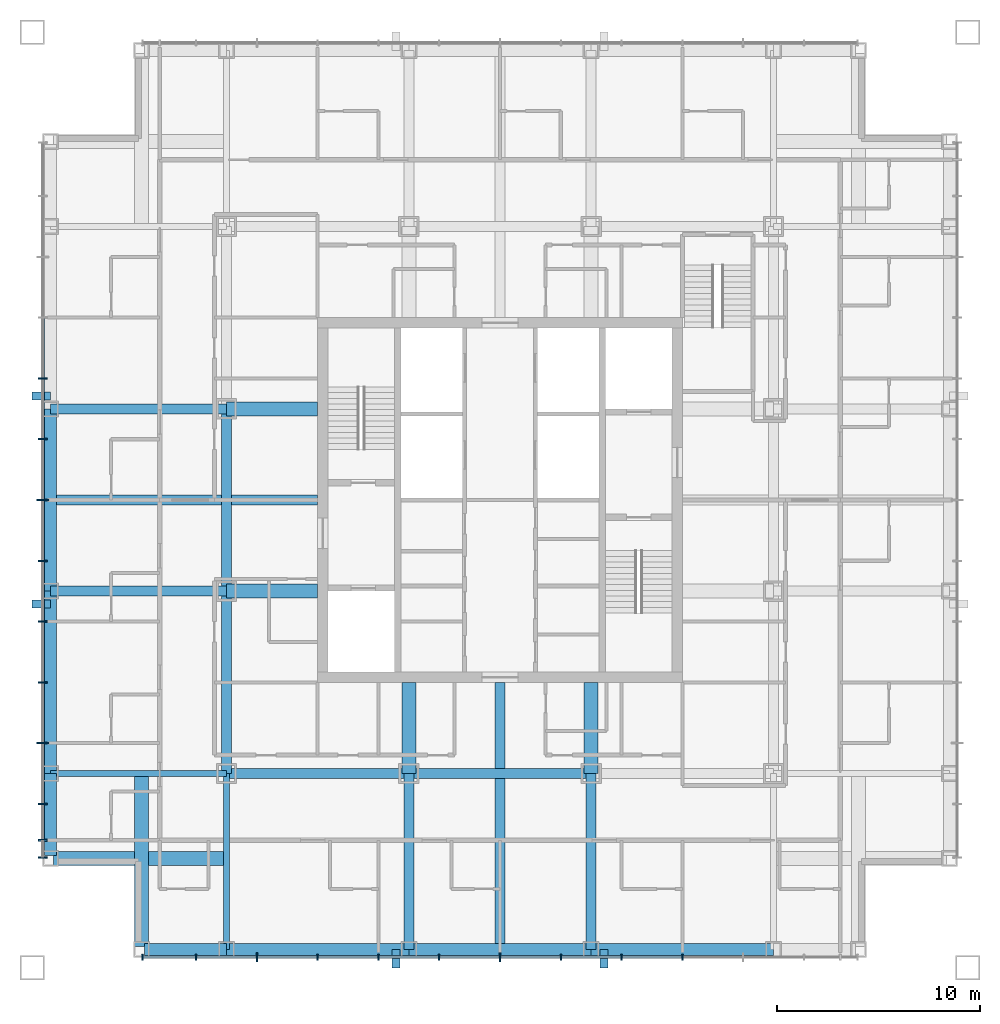
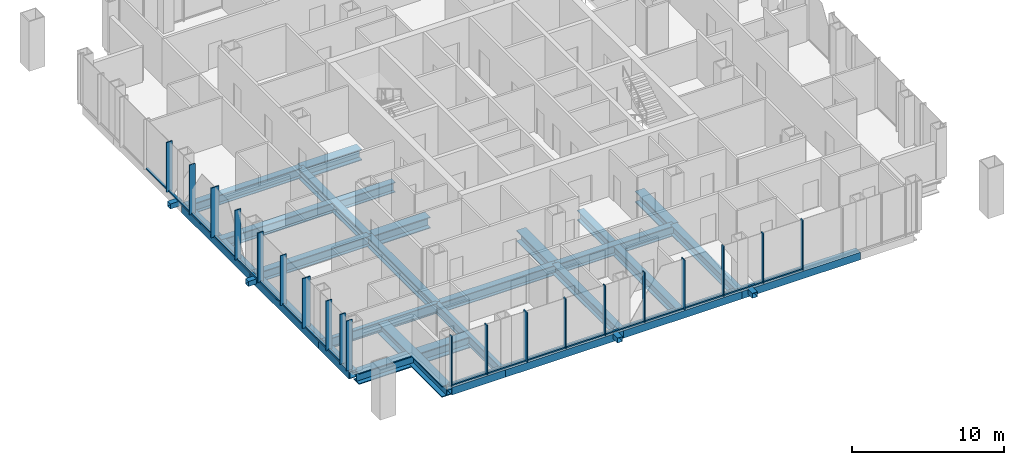
# One storey, part 2 of 17: 42 members, 25 beams, 2 elements without a shape of their own.
"""IFC4 building model written with IfcOpenShell, lengths in metres."""

from ifc_helpers import new_model, si_unit, direction, frame, origin, origin_2d, place, context, subcontext, project, spatial, rectangle, hollow_rectangle, i_section, extrude, material, layer, layer_set, material_profile, profile_set, type_object, element, aggregate, save


model = new_model("IFC4")

# Units and contexts
model_context = context("Model", 3, precision=1e-05, world=origin(), true_north=direction((0.0, 1.0)))
body_context = subcontext(model_context, "Body", "Model", "MODEL_VIEW")
ifc_project = project(units=[si_unit("LENGTHUNIT", "METRE"), si_unit("AREAUNIT", "SQUARE_METRE"), si_unit("VOLUMEUNIT", "CUBIC_METRE"), si_unit("PLANEANGLEUNIT", "RADIAN"), si_unit("MASSUNIT", "GRAM", prefix="KILO")], contexts=[model_context])

# Site, building, storey
site_placement = place(None, origin())
site = spatial("IfcSite", under=ifc_project, at=site_placement, CompositionType="ELEMENT")
building_placement = place(site_placement, origin())
building = spatial("IfcBuilding", under=site, at=building_placement, Name="Malebo Sky Hospital", CompositionType="ELEMENT")
storey_placement = place(building_placement, frame((0.0, 0.0, 237.0)))
storey = spatial("IfcBuildingStorey", under=building, at=storey_placement, Name="L57", CompositionType="ELEMENT", Elevation=237.0)

# Curtain wall, members
ifc_material_1 = material(Name="Anodised aluminium, natural silver", Category="aluminium")
ifc_layer_1 = layer(ifc_material_1, 0.25)
ifc_layer_set_1 = layer_set([ifc_layer_1], Name="WARD CURTAIN WALL EAST AND WEST")
curtain_wall_type_1 = type_object("IfcCurtainWallType", Name="WARD CURTAIN WALL EAST AND WEST", PredefinedType="NOTDEFINED", material=ifc_layer_set_1)
curtain_wall_1_placement = place(storey_placement, origin())
curtain_wall_1 = element("IfcCurtainWall", 1, at=curtain_wall_1_placement, inside=storey, type_object=curtain_wall_type_1, Name="EW curtain wall W", PredefinedType="NOTDEFINED")
ifc_material_profile_1 = material_profile(ifc_material_1, rectangle(XDim=0.14990234375, YDim=0.10009765625, at=origin_2d()), Name="ALUMINIUM TRANSOM 150x100")
ifc_profile_set_1 = profile_set([ifc_material_profile_1], Name="Anodised aluminium, natural silver")
member_type_1 = type_object("IfcMemberType", Name="ALUMINIUM TRANSOM 150x100", PredefinedType="USERDEFINED", material=ifc_profile_set_1)
member_1_placement = place(storey_placement, frame((37.425048828125, 45.237548828125, 0.050048828125), z_axis=(0.0, 1.0, 0.0), x_axis=(-1.0, 0.0, 0.0)))
member_1 = element("IfcMember", 2, at=member_1_placement, type_object=member_type_1, Name="Transom 2", ObjectType="TRANSOM", PredefinedType="USERDEFINED", context=body_context, shape_type="SweptSolid", body=[
    extrude(rectangle(XDim=0.14990234375, YDim=0.10009765625, at=origin_2d()), origin(), (0.0, 0.0, 1.0), 1.724853515625),
])
member_2_placement = place(storey_placement, frame((37.425048828125, 47.03759765625, 0.050048828125), z_axis=(0.0, 1.0, 0.0), x_axis=(-1.0, 0.0, 0.0)))
member_2 = element("IfcMember", 3, at=member_2_placement, type_object=member_type_1, Name="Transom 3", ObjectType="TRANSOM", PredefinedType="USERDEFINED", context=body_context, shape_type="SweptSolid", body=[
    extrude(rectangle(XDim=0.14990234375, YDim=0.10009765625, at=origin_2d()), origin(), (0.0, 0.0, 1.0), 2.9248046875),
])
member_3_placement = place(storey_placement, frame((37.425048828125, 50.03759765625, 0.050048828125), z_axis=(0.0, 1.0, 0.0), x_axis=(-1.0, 0.0, 0.0)))
member_3 = element("IfcMember", 4, at=member_3_placement, type_object=member_type_1, Name="Transom 4", ObjectType="TRANSOM", PredefinedType="USERDEFINED", context=body_context, shape_type="SweptSolid", body=[
    extrude(rectangle(XDim=0.14990234375, YDim=0.10009765625, at=origin_2d()), origin(), (0.0, 0.0, 1.0), 2.9248046875),
])
member_4_placement = place(storey_placement, frame((37.425048828125, 53.03759765625, 0.050048828125), z_axis=(0.0, 1.0, 0.0), x_axis=(-1.0, 0.0, 0.0)))
member_4 = element("IfcMember", 5, at=member_4_placement, type_object=member_type_1, Name="Transom 5", ObjectType="TRANSOM", PredefinedType="USERDEFINED", context=body_context, shape_type="SweptSolid", body=[
    extrude(rectangle(XDim=0.14990234375, YDim=0.10009765625, at=origin_2d()), origin(), (0.0, 0.0, 1.0), 2.9248046875),
])
member_5_placement = place(storey_placement, frame((37.425048828125, 56.03759765625, 0.050048828125), z_axis=(0.0, 1.0, 0.0), x_axis=(-1.0, 0.0, 0.0)))
member_5 = element("IfcMember", 6, at=member_5_placement, type_object=member_type_1, Name="Transom 6", ObjectType="TRANSOM", PredefinedType="USERDEFINED", context=body_context, shape_type="SweptSolid", body=[
    extrude(rectangle(XDim=0.14990234375, YDim=0.10009765625, at=origin_2d()), origin(), (0.0, 0.0, 1.0), 2.9248046875),
])
member_6_placement = place(storey_placement, frame((37.425048828125, 59.03759765625, 0.050048828125), z_axis=(0.0, 1.0, 0.0), x_axis=(-1.0, 0.0, 0.0)))
member_6 = element("IfcMember", 7, at=member_6_placement, type_object=member_type_1, Name="Transom 7", ObjectType="TRANSOM", PredefinedType="USERDEFINED", context=body_context, shape_type="SweptSolid", body=[
    extrude(rectangle(XDim=0.14990234375, YDim=0.10009765625, at=origin_2d()), origin(), (0.0, 0.0, 1.0), 2.9248046875),
])
member_7_placement = place(storey_placement, frame((37.425048828125, 62.03759765625, 0.050048828125), z_axis=(0.0, 1.0, 0.0), x_axis=(-1.0, 0.0, 0.0)))
member_7 = element("IfcMember", 8, at=member_7_placement, type_object=member_type_1, Name="Transom 8", ObjectType="TRANSOM", PredefinedType="USERDEFINED", context=body_context, shape_type="SweptSolid", body=[
    extrude(rectangle(XDim=0.14990234375, YDim=0.10009765625, at=origin_2d()), origin(), (0.0, 0.0, 1.0), 2.9248046875),
])
member_8_placement = place(storey_placement, frame((37.425048828125, 65.03759765625, 0.050048828125), z_axis=(0.0, 1.0, 0.0), x_axis=(-1.0, 0.0, 0.0)))
member_8 = element("IfcMember", 9, at=member_8_placement, type_object=member_type_1, Name="Transom 9", ObjectType="TRANSOM", PredefinedType="USERDEFINED", context=body_context, shape_type="SweptSolid", body=[
    extrude(rectangle(XDim=0.14990234375, YDim=0.10009765625, at=origin_2d()), origin(), (0.0, 0.0, 1.0), 2.9248046875),
])
member_9_placement = place(storey_placement, frame((37.425048828125, 68.03759765625, 0.050048828125), z_axis=(0.0, 1.0, 0.0), x_axis=(-1.0, 0.0, 0.0)))
member_9 = element("IfcMember", 10, at=member_9_placement, type_object=member_type_1, Name="Transom 10", ObjectType="TRANSOM", PredefinedType="USERDEFINED", context=body_context, shape_type="SweptSolid", body=[
    extrude(rectangle(XDim=0.14990234375, YDim=0.10009765625, at=origin_2d()), origin(), (0.0, 0.0, 1.0), 2.9248046875),
])

ifc_layer_2 = layer(ifc_material_1, 0.25)
ifc_layer_set_2 = layer_set([ifc_layer_2], Name="WARD CURTAIN WALL NORTH AND SOUTH")
curtain_wall_type_2 = type_object("IfcCurtainWallType", Name="WARD CURTAIN WALL NORTH AND SOUTH", PredefinedType="NOTDEFINED", material=ifc_layer_set_2)
curtain_wall_2_placement = place(storey_placement, origin())
curtain_wall_2 = element("IfcCurtainWall", 11, at=curtain_wall_2_placement, inside=storey, type_object=curtain_wall_type_2, Name="NS curtain wall S", PredefinedType="NOTDEFINED")
member_10_placement = place(storey_placement, frame((68.96240234375, 39.425048828125, 0.050048828125), z_axis=(-1.0, 0.0, 0.0), x_axis=(0.0, -1.0, 0.0)))
member_10 = element("IfcMember", 12, at=member_10_placement, type_object=member_type_1, Name="Transom 5", ObjectType="TRANSOM", PredefinedType="USERDEFINED", context=body_context, shape_type="SweptSolid", body=[
    extrude(rectangle(XDim=0.14990234375, YDim=0.10009765625, at=origin_2d()), origin(), (0.0, 0.0, 1.0), 2.9248046875),
])
member_11_placement = place(storey_placement, frame((65.96240234375, 39.425048828125, 0.050048828125), z_axis=(-1.0, 0.0, 0.0), x_axis=(0.0, -1.0, 0.0)))
member_11 = element("IfcMember", 13, at=member_11_placement, type_object=member_type_1, Name="Transom 6", ObjectType="TRANSOM", PredefinedType="USERDEFINED", context=body_context, shape_type="SweptSolid", body=[
    extrude(rectangle(XDim=0.14990234375, YDim=0.10009765625, at=origin_2d()), origin(), (0.0, 0.0, 1.0), 2.9248046875),
])
member_12_placement = place(storey_placement, frame((62.96240234375, 39.425048828125, 0.050048828125), z_axis=(-1.0, 0.0, 0.0), x_axis=(0.0, -1.0, 0.0)))
member_12 = element("IfcMember", 14, at=member_12_placement, type_object=member_type_1, Name="Transom 7", ObjectType="TRANSOM", PredefinedType="USERDEFINED", context=body_context, shape_type="SweptSolid", body=[
    extrude(rectangle(XDim=0.14990234375, YDim=0.10009765625, at=origin_2d()), origin(), (0.0, 0.0, 1.0), 2.9248046875),
])
member_13_placement = place(storey_placement, frame((59.96240234375, 39.425048828125, 0.050048828125), z_axis=(-1.0, 0.0, 0.0), x_axis=(0.0, -1.0, 0.0)))
member_13 = element("IfcMember", 15, at=member_13_placement, type_object=member_type_1, Name="Transom 8", ObjectType="TRANSOM", PredefinedType="USERDEFINED", context=body_context, shape_type="SweptSolid", body=[
    extrude(rectangle(XDim=0.14990234375, YDim=0.10009765625, at=origin_2d()), origin(), (0.0, 0.0, 1.0), 2.9248046875),
])
member_14_placement = place(storey_placement, frame((56.96240234375, 39.425048828125, 0.050048828125), z_axis=(-1.0, 0.0, 0.0), x_axis=(0.0, -1.0, 0.0)))
member_14 = element("IfcMember", 16, at=member_14_placement, type_object=member_type_1, Name="Transom 9", ObjectType="TRANSOM", PredefinedType="USERDEFINED", context=body_context, shape_type="SweptSolid", body=[
    extrude(rectangle(XDim=0.14990234375, YDim=0.10009765625, at=origin_2d()), origin(), (0.0, 0.0, 1.0), 2.9248046875),
])
member_15_placement = place(storey_placement, frame((53.96240234375, 39.425048828125, 0.050048828125), z_axis=(-1.0, 0.0, 0.0), x_axis=(0.0, -1.0, 0.0)))
member_15 = element("IfcMember", 17, at=member_15_placement, type_object=member_type_1, Name="Transom 10", ObjectType="TRANSOM", PredefinedType="USERDEFINED", context=body_context, shape_type="SweptSolid", body=[
    extrude(rectangle(XDim=0.14990234375, YDim=0.10009765625, at=origin_2d()), origin(), (0.0, 0.0, 1.0), 2.9248046875),
])
member_16_placement = place(storey_placement, frame((50.96240234375, 39.425048828125, 0.050048828125), z_axis=(-1.0, 0.0, 0.0), x_axis=(0.0, -1.0, 0.0)))
member_16 = element("IfcMember", 18, at=member_16_placement, type_object=member_type_1, Name="Transom 11", ObjectType="TRANSOM", PredefinedType="USERDEFINED", context=body_context, shape_type="SweptSolid", body=[
    extrude(rectangle(XDim=0.14990234375, YDim=0.10009765625, at=origin_2d()), origin(), (0.0, 0.0, 1.0), 2.9248046875),
])
member_17_placement = place(storey_placement, frame((47.96240234375, 39.425048828125, 0.050048828125), z_axis=(-1.0, 0.0, 0.0), x_axis=(0.0, -1.0, 0.0)))
member_17 = element("IfcMember", 19, at=member_17_placement, type_object=member_type_1, Name="Transom 12", ObjectType="TRANSOM", PredefinedType="USERDEFINED", context=body_context, shape_type="SweptSolid", body=[
    extrude(rectangle(XDim=0.14990234375, YDim=0.10009765625, at=origin_2d()), origin(), (0.0, 0.0, 1.0), 2.9248046875),
])
member_18_placement = place(storey_placement, frame((44.96240234375, 39.425048828125, 0.050048828125), z_axis=(-1.0, 0.0, 0.0), x_axis=(0.0, -1.0, 0.0)))
member_18 = element("IfcMember", 20, at=member_18_placement, type_object=member_type_1, Name="Transom 13", ObjectType="TRANSOM", PredefinedType="USERDEFINED", context=body_context, shape_type="SweptSolid", body=[
    extrude(rectangle(XDim=0.14990234375, YDim=0.10009765625, at=origin_2d()), origin(), (0.0, 0.0, 1.0), 2.58740234375),
])

# Members
ifc_material_2 = material(Name="Steel S355", Category="steel")
ifc_material_profile_2 = material_profile(ifc_material_2, hollow_rectangle(XDim=0.39990234375, YDim=0.39990234375, WallThickness=0.02001953125, at=origin_2d()), Name="SHS 400x20")
ifc_profile_set_2 = profile_set([ifc_material_profile_2], Name="Steel S355")
member_type_2 = type_object("IfcMemberType", Name="BRACE STRUT SHS 400x20", PredefinedType="STRUT", material=ifc_profile_set_2)
for number, where, z_axis, x_axis, name in (
    (21, (54.86669921875, 38.89990234375, -0.39990234375), (0.0, 1.0, 0.0), (-1.0, 0.0, 0.0), "Brace strut CS1 L57"),
    (22, (65.13330078125, 38.89990234375, -0.39990234375), (0.0, 1.0, 0.0), (-1.0, 0.0, 0.0), "Brace strut CS2 L57"),
    (23, (36.89990234375, 67.13330078125, -0.39990234375), (1.0, 0.0, 0.0), (0.0, 1.0, 0.0), "Brace strut CW1 L57"),
    (24, (36.89990234375, 56.86669921875, -0.39990234375), (1.0, 0.0, 0.0), (0.0, 1.0, 0.0), "Brace strut CW2 L57"),
):
    element("IfcMember", number, at=place(storey_placement, frame(where, z_axis=z_axis, x_axis=x_axis)), inside=storey, type_object=member_type_2, Name=name, PredefinedType="STRUT", context=body_context, shape_type="SweptSolid", body=[
        extrude(hollow_rectangle(XDim=0.39990234375, YDim=0.39990234375, WallThickness=0.02001953125, at=origin_2d()), origin(), (0.0, 0.0, 1.0), 0.900146484375),
    ])

# Member
ifc_material_profile_3 = material_profile(ifc_material_1, rectangle(XDim=0.074951171875, YDim=0.300048828125, at=origin_2d()), Name="CW1 ALUMINIUM FIN MULLION 75x300")
ifc_profile_set_3 = profile_set([ifc_material_profile_3], Name="Anodised aluminium, natural silver")
member_type_3 = type_object("IfcMemberType", Name="CW1 ALUMINIUM FIN MULLION 75x300", PredefinedType="MULLION", material=ifc_profile_set_3)
member_19_placement = place(storey_placement, frame((69.0, 39.425048828125, 0.0), z_axis=(0.0, 0.0, 1.0), x_axis=(-1.0, 0.0, 0.0)))
member_19 = element("IfcMember", 25, at=member_19_placement, type_object=member_type_3, Name="Fin mullion 5", PredefinedType="MULLION", context=body_context, shape_type="SweptSolid", body=[
    extrude(rectangle(XDim=0.074951171875, YDim=0.300048828125, at=origin_2d()), origin(), (0.0, 0.0, 1.0), 4.0),
])

member_20_placement = place(storey_placement, frame((66.0, 39.425048828125, 0.0), z_axis=(0.0, 0.0, 1.0), x_axis=(-1.0, 0.0, 0.0)))
member_20 = element("IfcMember", 26, at=member_20_placement, type_object=member_type_3, Name="Fin mullion 6", PredefinedType="MULLION", context=body_context, shape_type="SweptSolid", body=[
    extrude(rectangle(XDim=0.074951171875, YDim=0.300048828125, at=origin_2d()), origin(), (0.0, 0.0, 1.0), 4.0),
])

member_21_placement = place(storey_placement, frame((63.0, 39.425048828125, 0.0), z_axis=(0.0, 0.0, 1.0), x_axis=(-1.0, 0.0, 0.0)))
member_21 = element("IfcMember", 27, at=member_21_placement, type_object=member_type_3, Name="Fin mullion 7", PredefinedType="MULLION", context=body_context, shape_type="SweptSolid", body=[
    extrude(rectangle(XDim=0.074951171875, YDim=0.300048828125, at=origin_2d()), origin(), (0.0, 0.0, 1.0), 4.0),
])

member_22_placement = place(storey_placement, frame((57.0, 39.425048828125, 0.0), z_axis=(0.0, 0.0, 1.0), x_axis=(-1.0, 0.0, 0.0)))
member_22 = element("IfcMember", 28, at=member_22_placement, type_object=member_type_3, Name="Fin mullion 9", PredefinedType="MULLION", context=body_context, shape_type="SweptSolid", body=[
    extrude(rectangle(XDim=0.074951171875, YDim=0.300048828125, at=origin_2d()), origin(), (0.0, 0.0, 1.0), 4.0),
])

member_23_placement = place(storey_placement, frame((54.0, 39.425048828125, 0.0), z_axis=(0.0, 0.0, 1.0), x_axis=(-1.0, 0.0, 0.0)))
member_23 = element("IfcMember", 29, at=member_23_placement, type_object=member_type_3, Name="Fin mullion 10", PredefinedType="MULLION", context=body_context, shape_type="SweptSolid", body=[
    extrude(rectangle(XDim=0.074951171875, YDim=0.300048828125, at=origin_2d()), origin(), (0.0, 0.0, 1.0), 4.0),
])

member_24_placement = place(storey_placement, frame((51.0, 39.425048828125, 0.0), z_axis=(0.0, 0.0, 1.0), x_axis=(-1.0, 0.0, 0.0)))
member_24 = element("IfcMember", 30, at=member_24_placement, type_object=member_type_3, Name="Fin mullion 11", PredefinedType="MULLION", context=body_context, shape_type="SweptSolid", body=[
    extrude(rectangle(XDim=0.074951171875, YDim=0.300048828125, at=origin_2d()), origin(), (0.0, 0.0, 1.0), 4.0),
])

member_25_placement = place(storey_placement, frame((45.0, 39.425048828125, 0.0), z_axis=(0.0, 0.0, 1.0), x_axis=(-1.0, 0.0, 0.0)))
member_25 = element("IfcMember", 31, at=member_25_placement, type_object=member_type_3, Name="Fin mullion 13", PredefinedType="MULLION", context=body_context, shape_type="SweptSolid", body=[
    extrude(rectangle(XDim=0.074951171875, YDim=0.300048828125, at=origin_2d()), origin(), (0.0, 0.0, 1.0), 4.0),
])

member_26_placement = place(storey_placement, frame((42.33740234375, 39.425048828125, 0.0), z_axis=(0.0, 0.0, 1.0), x_axis=(-1.0, 0.0, 0.0)))
member_26 = element("IfcMember", 32, at=member_26_placement, type_object=member_type_3, Name="Fin mullion 14", PredefinedType="MULLION", context=body_context, shape_type="SweptSolid", body=[
    extrude(rectangle(XDim=0.074951171875, YDim=0.300048828125, at=origin_2d()), origin(), (0.0, 0.0, 1.0), 4.0),
])

ifc_material_profile_4 = material_profile(ifc_material_1, rectangle(XDim=0.074951171875, YDim=0.449951171875, at=origin_2d()), Name="CW1 ALUMINIUM FIN MULLION 75x450")
ifc_profile_set_4 = profile_set([ifc_material_profile_4], Name="Anodised aluminium, natural silver")
member_type_4 = type_object("IfcMemberType", Name="CW1 ALUMINIUM FIN MULLION 75x450", PredefinedType="MULLION", material=ifc_profile_set_4)
member_27_placement = place(storey_placement, frame((60.0, 39.425048828125, 0.0), z_axis=(0.0, 0.0, 1.0), x_axis=(-1.0, 0.0, 0.0)))
member_27 = element("IfcMember", 33, at=member_27_placement, type_object=member_type_4, Name="Fin mullion 8", PredefinedType="MULLION", context=body_context, shape_type="SweptSolid", body=[
    extrude(rectangle(XDim=0.074951171875, YDim=0.449951171875, at=origin_2d()), origin(), (0.0, 0.0, 1.0), 4.0),
])

member_28_placement = place(storey_placement, frame((48.0, 39.425048828125, 0.0), z_axis=(0.0, 0.0, 1.0), x_axis=(-1.0, 0.0, 0.0)))
member_28 = element("IfcMember", 34, at=member_28_placement, type_object=member_type_4, Name="Fin mullion 12", PredefinedType="MULLION", context=body_context, shape_type="SweptSolid", body=[
    extrude(rectangle(XDim=0.074951171875, YDim=0.449951171875, at=origin_2d()), origin(), (0.0, 0.0, 1.0), 4.0),
])

aggregate(curtain_wall_2, [member_19, member_20, member_21, member_27, member_22, member_23, member_24, member_28, member_25, member_26, member_10, member_11, member_12, member_13, member_14, member_15, member_16, member_17, member_18])

ifc_material_profile_5 = material_profile(ifc_material_1, rectangle(XDim=0.074951171875, YDim=0.449951171875, at=origin_2d()), Name="CW2 ALUMINIUM FIN MULLION 75x450")
ifc_profile_set_5 = profile_set([ifc_material_profile_5], Name="Anodised aluminium, natural silver")
member_type_5 = type_object("IfcMemberType", Name="CW2 ALUMINIUM FIN MULLION 75x450", PredefinedType="MULLION", material=ifc_profile_set_5)
member_29_placement = place(storey_placement, frame((37.425048828125, 44.33740234375, 0.0), z_axis=(0.0, 0.0, 1.0), x_axis=(0.0, 1.0, 0.0)))
member_29 = element("IfcMember", 35, at=member_29_placement, type_object=member_type_5, Name="Fin mullion 1", PredefinedType="MULLION", context=body_context, shape_type="SweptSolid", body=[
    extrude(rectangle(XDim=0.074951171875, YDim=0.449951171875, at=origin_2d()), origin(), (0.0, 0.0, 1.0), 4.0),
])

member_30_placement = place(storey_placement, frame((37.425048828125, 45.199951171875, 0.0), z_axis=(0.0, 0.0, 1.0), x_axis=(0.0, 1.0, 0.0)))
member_30 = element("IfcMember", 36, at=member_30_placement, type_object=member_type_5, Name="Fin mullion 2", PredefinedType="MULLION", context=body_context, shape_type="SweptSolid", body=[
    extrude(rectangle(XDim=0.074951171875, YDim=0.449951171875, at=origin_2d()), origin(), (0.0, 0.0, 1.0), 4.0),
])

member_31_placement = place(storey_placement, frame((37.425048828125, 47.0, 0.0), z_axis=(0.0, 0.0, 1.0), x_axis=(0.0, 1.0, 0.0)))
member_31 = element("IfcMember", 37, at=member_31_placement, type_object=member_type_5, Name="Fin mullion 3", PredefinedType="MULLION", context=body_context, shape_type="SweptSolid", body=[
    extrude(rectangle(XDim=0.074951171875, YDim=0.449951171875, at=origin_2d()), origin(), (0.0, 0.0, 1.0), 4.0),
])

member_32_placement = place(storey_placement, frame((37.425048828125, 53.0, 0.0), z_axis=(0.0, 0.0, 1.0), x_axis=(0.0, 1.0, 0.0)))
member_32 = element("IfcMember", 38, at=member_32_placement, type_object=member_type_5, Name="Fin mullion 5", PredefinedType="MULLION", context=body_context, shape_type="SweptSolid", body=[
    extrude(rectangle(XDim=0.074951171875, YDim=0.449951171875, at=origin_2d()), origin(), (0.0, 0.0, 1.0), 4.0),
])

member_33_placement = place(storey_placement, frame((37.425048828125, 56.0, 0.0), z_axis=(0.0, 0.0, 1.0), x_axis=(0.0, 1.0, 0.0)))
member_33 = element("IfcMember", 39, at=member_33_placement, type_object=member_type_5, Name="Fin mullion 6", PredefinedType="MULLION", context=body_context, shape_type="SweptSolid", body=[
    extrude(rectangle(XDim=0.074951171875, YDim=0.449951171875, at=origin_2d()), origin(), (0.0, 0.0, 1.0), 4.0),
])

member_34_placement = place(storey_placement, frame((37.425048828125, 59.0, 0.0), z_axis=(0.0, 0.0, 1.0), x_axis=(0.0, 1.0, 0.0)))
member_34 = element("IfcMember", 40, at=member_34_placement, type_object=member_type_5, Name="Fin mullion 7", PredefinedType="MULLION", context=body_context, shape_type="SweptSolid", body=[
    extrude(rectangle(XDim=0.074951171875, YDim=0.449951171875, at=origin_2d()), origin(), (0.0, 0.0, 1.0), 4.0),
])

member_35_placement = place(storey_placement, frame((37.425048828125, 65.0, 0.0), z_axis=(0.0, 0.0, 1.0), x_axis=(0.0, 1.0, 0.0)))
member_35 = element("IfcMember", 41, at=member_35_placement, type_object=member_type_5, Name="Fin mullion 9", PredefinedType="MULLION", context=body_context, shape_type="SweptSolid", body=[
    extrude(rectangle(XDim=0.074951171875, YDim=0.449951171875, at=origin_2d()), origin(), (0.0, 0.0, 1.0), 4.0),
])

member_36_placement = place(storey_placement, frame((37.425048828125, 68.0, 0.0), z_axis=(0.0, 0.0, 1.0), x_axis=(0.0, 1.0, 0.0)))
member_36 = element("IfcMember", 42, at=member_36_placement, type_object=member_type_5, Name="Fin mullion 10", PredefinedType="MULLION", context=body_context, shape_type="SweptSolid", body=[
    extrude(rectangle(XDim=0.074951171875, YDim=0.449951171875, at=origin_2d()), origin(), (0.0, 0.0, 1.0), 4.0),
])

ifc_material_profile_6 = material_profile(ifc_material_1, rectangle(XDim=0.074951171875, YDim=0.60009765625, at=origin_2d()), Name="CW2 ALUMINIUM FIN MULLION 75x600")
ifc_profile_set_6 = profile_set([ifc_material_profile_6], Name="Anodised aluminium, natural silver")
member_type_6 = type_object("IfcMemberType", Name="CW2 ALUMINIUM FIN MULLION 75x600", PredefinedType="MULLION", material=ifc_profile_set_6)
member_37_placement = place(storey_placement, frame((37.425048828125, 50.0, 0.0), z_axis=(0.0, 0.0, 1.0), x_axis=(0.0, 1.0, 0.0)))
member_37 = element("IfcMember", 43, at=member_37_placement, type_object=member_type_6, Name="Fin mullion 4", PredefinedType="MULLION", context=body_context, shape_type="SweptSolid", body=[
    extrude(rectangle(XDim=0.074951171875, YDim=0.60009765625, at=origin_2d()), origin(), (0.0, 0.0, 1.0), 4.0),
])

member_38_placement = place(storey_placement, frame((37.425048828125, 62.0, 0.0), z_axis=(0.0, 0.0, 1.0), x_axis=(0.0, 1.0, 0.0)))
member_38 = element("IfcMember", 44, at=member_38_placement, type_object=member_type_6, Name="Fin mullion 8", PredefinedType="MULLION", context=body_context, shape_type="SweptSolid", body=[
    extrude(rectangle(XDim=0.074951171875, YDim=0.60009765625, at=origin_2d()), origin(), (0.0, 0.0, 1.0), 4.0),
])

aggregate(curtain_wall_1, [member_29, member_30, member_31, member_37, member_32, member_33, member_34, member_38, member_35, member_36, member_1, member_2, member_3, member_4, member_5, member_6, member_7, member_8, member_9])

# Beams
ifc_material_3 = material(Name="Steel S460", Category="steel")
ifc_material_profile_7 = material_profile(ifc_material_3, hollow_rectangle(XDim=0.60009765625, YDim=0.60009765625, WallThickness=0.0400390625, at=origin_2d()), Name="BOX 600x600x40")
ifc_profile_set_7 = profile_set([ifc_material_profile_7], Name="Steel S460")
beam_type_1 = type_object("IfcBeamType", Name="EDGE BEAM BOX 600x600x40", PredefinedType="BEAM", material=ifc_profile_set_7)
beam_1_placement = place(storey_placement, frame((37.800048828125, 44.449951171875, -0.550048828125), z_axis=(0.0, 1.0, 0.0), x_axis=(-1.0, 0.0, 0.0)))
element("IfcBeam", 45, at=beam_1_placement, inside=storey, type_object=beam_type_1, Name="Beam 000 L57", PredefinedType="BEAM", context=body_context, shape_type="SweptSolid", body=[
    extrude(hollow_rectangle(XDim=0.60009765625, YDim=0.60009765625, WallThickness=0.0400390625, at=origin_2d()), origin(), (0.0, 0.0, 1.0), 4.050048828125),
])
for number, where, z_axis, x_axis, name in (
    (46, (37.800048828125, 48.5, -0.550048828125), (0.0, 1.0, 0.0), (-1.0, 0.0, 0.0), "Beam 001 L57"),
    (47, (37.800048828125, 57.5, -0.550048828125), (0.0, 1.0, 0.0), (-1.0, 0.0, 0.0), "Beam 002 L57"),
):
    element("IfcBeam", number, at=place(storey_placement, frame(where, z_axis=z_axis, x_axis=x_axis)), inside=storey, type_object=beam_type_1, Name=name, PredefinedType="BEAM", context=body_context, shape_type="SweptSolid", body=[
        extrude(hollow_rectangle(XDim=0.60009765625, YDim=0.60009765625, WallThickness=0.0400390625, at=origin_2d()), origin(), (0.0, 0.0, 1.0), 9.0),
    ])
beam_2_placement = place(storey_placement, frame((42.449951171875, 39.800048828125, -0.550048828125), z_axis=(1.0, 0.0, 0.0), x_axis=(0.0, 1.0, 0.0)))
element("IfcBeam", 48, at=beam_2_placement, inside=storey, type_object=beam_type_1, Name="Beam 034 L57", PredefinedType="BEAM", context=body_context, shape_type="SweptSolid", body=[
    extrude(hollow_rectangle(XDim=0.60009765625, YDim=0.60009765625, WallThickness=0.0400390625, at=origin_2d()), origin(), (0.0, 0.0, 1.0), 4.050048828125),
])
for number, where, z_axis, x_axis, name in (
    (49, (46.5, 39.800048828125, -0.550048828125), (1.0, 0.0, 0.0), (0.0, 1.0, 0.0), "Beam 035 L57"),
    (50, (55.5, 39.800048828125, -0.550048828125), (1.0, 0.0, 0.0), (0.0, 1.0, 0.0), "Beam 036 L57"),
    (51, (64.5, 39.800048828125, -0.550048828125), (1.0, 0.0, 0.0), (0.0, 1.0, 0.0), "Beam 037 L57"),
):
    element("IfcBeam", number, at=place(storey_placement, frame(where, z_axis=z_axis, x_axis=x_axis)), inside=storey, type_object=beam_type_1, Name=name, PredefinedType="BEAM", context=body_context, shape_type="SweptSolid", body=[
        extrude(hollow_rectangle(XDim=0.60009765625, YDim=0.60009765625, WallThickness=0.0400390625, at=origin_2d()), origin(), (0.0, 0.0, 1.0), 9.0),
    ])
ifc_material_profile_8 = material_profile(ifc_material_2, i_section(OverallWidth=0.5, OverallDepth=0.800048828125, WebThickness=0.030029296875, FlangeThickness=0.050048828125, at=origin_2d()), Name="PG 800x500x30x50")
ifc_profile_set_8 = profile_set([ifc_material_profile_8], Name="Steel S355")
beam_type_2 = type_object("IfcBeamType", Name="FLOOR BEAM PG 800x500x30x50", PredefinedType="BEAM", material=ifc_profile_set_8)
beam_3_placement = place(storey_placement, frame((46.5, 48.5, -0.64990234375), z_axis=(0.0, 1.0, 0.0), x_axis=(-1.0, 0.0, 0.0)))
element("IfcBeam", 52, at=beam_3_placement, inside=storey, type_object=beam_type_2, Name="Beam 008 L57", PredefinedType="BEAM", context=body_context, shape_type="SweptSolid", body=[
    extrude(i_section(OverallWidth=0.5, OverallDepth=0.800048828125, WebThickness=0.030029296875, FlangeThickness=0.050048828125, at=origin_2d()), origin(), (0.0, 0.0, 1.0), 9.0),
])
beam_4_placement = place(storey_placement, frame((55.5, 39.800048828125, -0.64990234375), z_axis=(0.0, 1.0, 0.0), x_axis=(-1.0, 0.0, 0.0)))
element("IfcBeam", 53, at=beam_4_placement, inside=storey, type_object=beam_type_2, Name="Beam 012 L57", PredefinedType="BEAM", context=body_context, shape_type="SweptSolid", body=[
    extrude(i_section(OverallWidth=0.5, OverallDepth=0.800048828125, WebThickness=0.030029296875, FlangeThickness=0.050048828125, at=origin_2d()), origin(), (0.0, 0.0, 1.0), 8.699951171875),
])
beam_5_placement = place(storey_placement, frame((60.0, 39.800048828125, -0.64990234375), z_axis=(0.0, 1.0, 0.0), x_axis=(-1.0, 0.0, 0.0)))
element("IfcBeam", 54, at=beam_5_placement, inside=storey, type_object=beam_type_2, Name="Beam 016 L57", PredefinedType="BEAM", context=body_context, shape_type="SweptSolid", body=[
    extrude(i_section(OverallWidth=0.5, OverallDepth=0.800048828125, WebThickness=0.030029296875, FlangeThickness=0.050048828125, at=origin_2d()), origin(), (0.0, 0.0, 1.0), 13.199951171875),
])
beam_6_placement = place(storey_placement, frame((64.5, 39.800048828125, -0.64990234375), z_axis=(0.0, 1.0, 0.0), x_axis=(-1.0, 0.0, 0.0)))
element("IfcBeam", 55, at=beam_6_placement, inside=storey, type_object=beam_type_2, Name="Beam 018 L57", PredefinedType="BEAM", context=body_context, shape_type="SweptSolid", body=[
    extrude(i_section(OverallWidth=0.5, OverallDepth=0.800048828125, WebThickness=0.030029296875, FlangeThickness=0.050048828125, at=origin_2d()), origin(), (0.0, 0.0, 1.0), 8.699951171875),
])
beam_7_placement = place(storey_placement, frame((46.5, 48.5, -0.64990234375), z_axis=(1.0, 0.0, 0.0), x_axis=(0.0, 1.0, 0.0)))
element("IfcBeam", 56, at=beam_7_placement, inside=storey, type_object=beam_type_2, Name="Beam 042 L57", PredefinedType="BEAM", context=body_context, shape_type="SweptSolid", body=[
    extrude(i_section(OverallWidth=0.5, OverallDepth=0.800048828125, WebThickness=0.030029296875, FlangeThickness=0.050048828125, at=origin_2d()), origin(), (0.0, 0.0, 1.0), 9.0),
])
beam_8_placement = place(storey_placement, frame((37.800048828125, 57.5, -0.64990234375), z_axis=(1.0, 0.0, 0.0), x_axis=(0.0, 1.0, 0.0)))
element("IfcBeam", 57, at=beam_8_placement, inside=storey, type_object=beam_type_2, Name="Beam 046 L57", PredefinedType="BEAM", context=body_context, shape_type="SweptSolid", body=[
    extrude(i_section(OverallWidth=0.5, OverallDepth=0.800048828125, WebThickness=0.030029296875, FlangeThickness=0.050048828125, at=origin_2d()), origin(), (0.0, 0.0, 1.0), 8.699951171875),
])
beam_9_placement = place(storey_placement, frame((37.800048828125, 62.0, -0.64990234375), z_axis=(1.0, 0.0, 0.0), x_axis=(0.0, 1.0, 0.0)))
element("IfcBeam", 58, at=beam_9_placement, inside=storey, type_object=beam_type_2, Name="Beam 050 L57", PredefinedType="BEAM", context=body_context, shape_type="SweptSolid", body=[
    extrude(i_section(OverallWidth=0.5, OverallDepth=0.800048828125, WebThickness=0.030029296875, FlangeThickness=0.050048828125, at=origin_2d()), origin(), (0.0, 0.0, 1.0), 13.199951171875),
])
beam_10_placement = place(storey_placement, frame((37.800048828125, 66.5, -0.64990234375), z_axis=(1.0, 0.0, 0.0), x_axis=(0.0, 1.0, 0.0)))
element("IfcBeam", 59, at=beam_10_placement, inside=storey, type_object=beam_type_2, Name="Beam 052 L57", PredefinedType="BEAM", context=body_context, shape_type="SweptSolid", body=[
    extrude(i_section(OverallWidth=0.5, OverallDepth=0.800048828125, WebThickness=0.030029296875, FlangeThickness=0.050048828125, at=origin_2d()), origin(), (0.0, 0.0, 1.0), 8.699951171875),
])
ifc_material_profile_9 = material_profile(ifc_material_2, i_section(OverallWidth=0.699951171875, OverallDepth=0.89990234375, WebThickness=0.0400390625, FlangeThickness=0.070068359375, at=origin_2d()), Name="PG 900x700x40x70")
ifc_profile_set_9 = profile_set([ifc_material_profile_9], Name="Steel S355")
beam_type_3 = type_object("IfcBeamType", Name="FLOOR BEAM PG 900x700x40x70", PredefinedType="BEAM", material=ifc_profile_set_9)
beam_11_placement = place(storey_placement, frame((42.300048828125, 39.949951171875, -0.699951171875), z_axis=(0.0, 1.0, 0.0), x_axis=(-1.0, 0.0, 0.0)))
element("IfcBeam", 60, at=beam_11_placement, inside=storey, type_object=beam_type_3, Name="Beam 005 L57", PredefinedType="BEAM", context=body_context, shape_type="SweptSolid", body=[
    extrude(i_section(OverallWidth=0.699951171875, OverallDepth=0.89990234375, WebThickness=0.0400390625, FlangeThickness=0.070068359375, at=origin_2d()), origin(), (0.0, 0.0, 1.0), 8.550048828125),
])
for number, where, z_axis, x_axis, name in (
    (61, (55.5, 48.5, -0.699951171875), (0.0, 1.0, 0.0), (-1.0, 0.0, 0.0), "Beam 013 L57"),
    (62, (64.5, 48.5, -0.699951171875), (0.0, 1.0, 0.0), (-1.0, 0.0, 0.0), "Beam 019 L57"),
):
    element("IfcBeam", number, at=place(storey_placement, frame(where, z_axis=z_axis, x_axis=x_axis)), inside=storey, type_object=beam_type_3, Name=name, PredefinedType="BEAM", context=body_context, shape_type="SweptSolid", body=[
        extrude(i_section(OverallWidth=0.699951171875, OverallDepth=0.89990234375, WebThickness=0.0400390625, FlangeThickness=0.070068359375, at=origin_2d()), origin(), (0.0, 0.0, 1.0), 4.5),
    ])
beam_12_placement = place(storey_placement, frame((37.949951171875, 44.300048828125, -0.699951171875), z_axis=(1.0, 0.0, 0.0), x_axis=(0.0, 1.0, 0.0)))
element("IfcBeam", 63, at=beam_12_placement, inside=storey, type_object=beam_type_3, Name="Beam 039 L57", PredefinedType="BEAM", context=body_context, shape_type="SweptSolid", body=[
    extrude(i_section(OverallWidth=0.699951171875, OverallDepth=0.89990234375, WebThickness=0.0400390625, FlangeThickness=0.070068359375, at=origin_2d()), origin(), (0.0, 0.0, 1.0), 8.550048828125),
])
for number, where, z_axis, x_axis, name in (
    (64, (46.5, 57.5, -0.699951171875), (1.0, 0.0, 0.0), (0.0, 1.0, 0.0), "Beam 047 L57"),
    (65, (46.5, 66.5, -0.699951171875), (1.0, 0.0, 0.0), (0.0, 1.0, 0.0), "Beam 053 L57"),
):
    element("IfcBeam", number, at=place(storey_placement, frame(where, z_axis=z_axis, x_axis=x_axis)), inside=storey, type_object=beam_type_3, Name=name, PredefinedType="BEAM", context=body_context, shape_type="SweptSolid", body=[
        extrude(i_section(OverallWidth=0.699951171875, OverallDepth=0.89990234375, WebThickness=0.0400390625, FlangeThickness=0.070068359375, at=origin_2d()), origin(), (0.0, 0.0, 1.0), 4.5),
    ])
ifc_material_profile_10 = material_profile(ifc_material_2, i_section(OverallWidth=0.300048828125, OverallDepth=0.800048828125, WebThickness=0.017578125, FlangeThickness=0.032958984375, FilletRadius=0.030029296875, at=origin_2d()), Name="HEB 800")
ifc_profile_set_10 = profile_set([ifc_material_profile_10], Name="Steel S355")
beam_type_4 = type_object("IfcBeamType", Name="FLOOR GIRDER HEB 800", PredefinedType="BEAM", material=ifc_profile_set_10)
for number, where, z_axis, x_axis, name in (
    (66, (46.5, 39.800048828125, -0.64990234375), (0.0, 1.0, 0.0), (-1.0, 0.0, 0.0), "Beam 007 L57"),
    (67, (37.800048828125, 48.5, -0.64990234375), (1.0, 0.0, 0.0), (0.0, 1.0, 0.0), "Beam 041 L57"),
):
    element("IfcBeam", number, at=place(storey_placement, frame(where, z_axis=z_axis, x_axis=x_axis)), inside=storey, type_object=beam_type_4, Name=name, PredefinedType="BEAM", context=body_context, shape_type="SweptSolid", body=[
        extrude(i_section(OverallWidth=0.300048828125, OverallDepth=0.800048828125, WebThickness=0.017578125, FlangeThickness=0.032958984375, FilletRadius=0.030029296875, at=origin_2d()), origin(), (0.0, 0.0, 1.0), 8.699951171875),
    ])
ifc_material_profile_11 = material_profile(ifc_material_2, i_section(OverallWidth=0.5, OverallDepth=0.800048828125, WebThickness=0.030029296875, FlangeThickness=0.050048828125, at=origin_2d()), Name="PG 800x500x30x50")
ifc_profile_set_11 = profile_set([ifc_material_profile_11], Name="Steel S355")
beam_type_5 = type_object("IfcBeamType", Name="RING GIRDER PG 800x500x30x50", PredefinedType="BEAM", material=ifc_profile_set_11)
for number, where, z_axis, x_axis, name in (
    (68, (46.5, 57.5, -0.64990234375), (0.0, 1.0, 0.0), (-1.0, 0.0, 0.0), "Beam 009 L57"),
    (69, (55.5, 48.5, -0.64990234375), (1.0, 0.0, 0.0), (0.0, 1.0, 0.0), "Beam 043 L57"),
):
    element("IfcBeam", number, at=place(storey_placement, frame(where, z_axis=z_axis, x_axis=x_axis)), inside=storey, type_object=beam_type_5, Name=name, PredefinedType="BEAM", context=body_context, shape_type="SweptSolid", body=[
        extrude(i_section(OverallWidth=0.5, OverallDepth=0.800048828125, WebThickness=0.030029296875, FlangeThickness=0.050048828125, at=origin_2d()), origin(), (0.0, 0.0, 1.0), 9.0),
    ])

save(model, "model.ifc")
